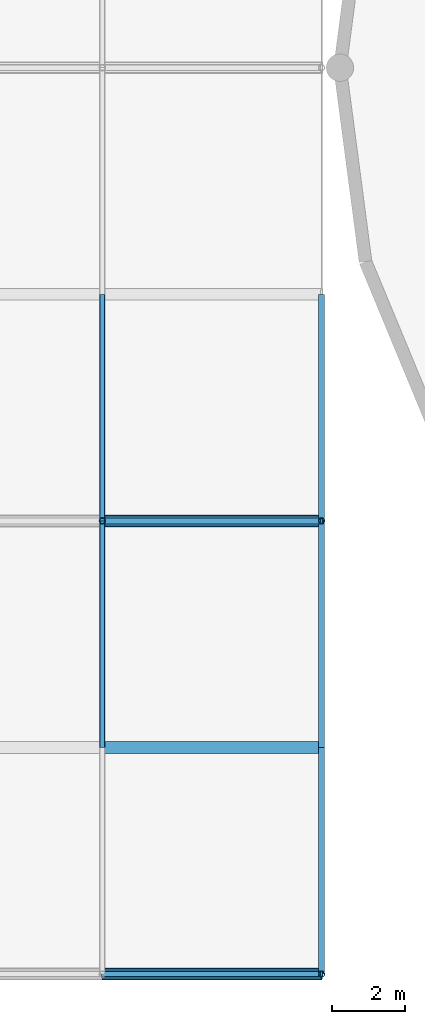
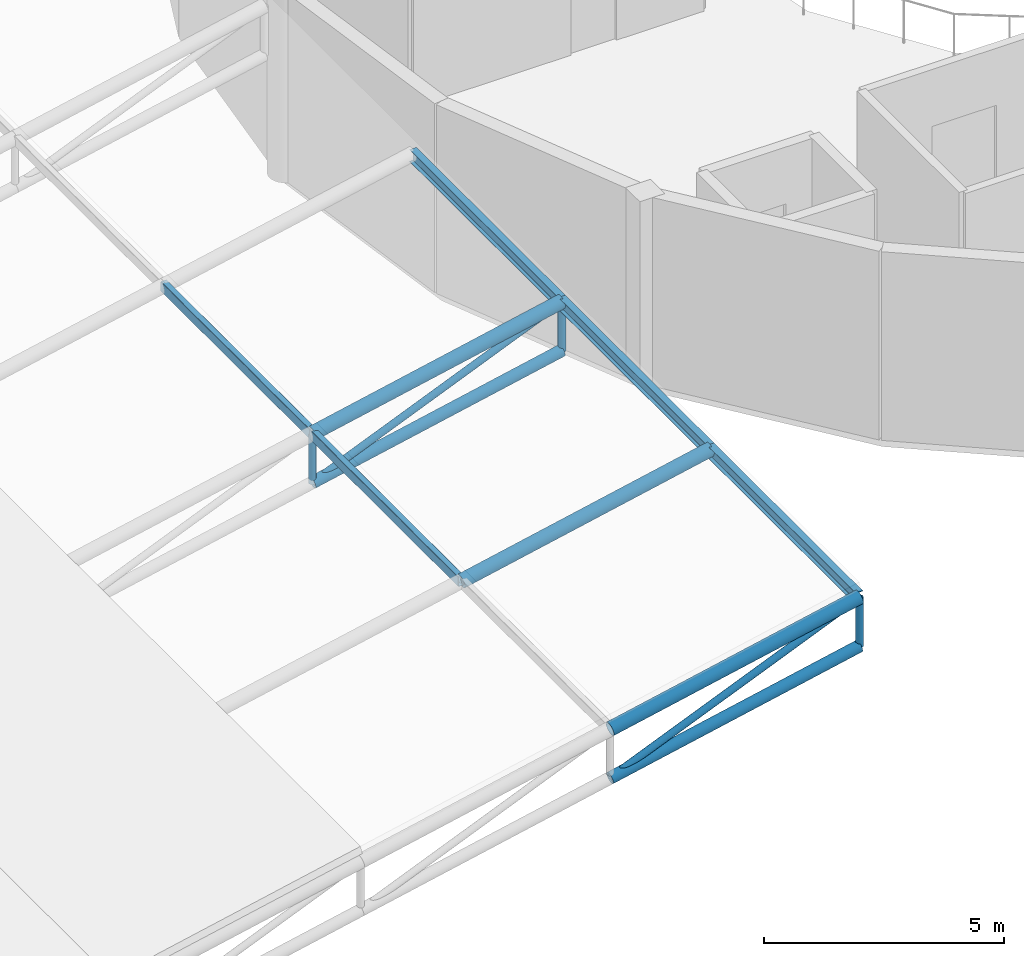
# One storey, part 16 of 48: 15 members.
"""IFC4 building model written with IfcOpenShell, lengths in metres."""

from ifc_helpers import new_model, si_unit, direction, frame, origin, origin_2d, place, context, subcontext, project, spatial, hollow_rectangle, hollow_circle, i_section, extrude, material, material_profile, profile_set, type_object, element, save


model = new_model("IFC4")

# Units and contexts
model_context = context("Model", 3, precision=1e-05, world=origin(), true_north=direction((0.0, 1.0)))
body_context = subcontext(model_context, "Body", "Model", "MODEL_VIEW")
ifc_project = project(units=[si_unit("LENGTHUNIT", "METRE"), si_unit("AREAUNIT", "SQUARE_METRE"), si_unit("VOLUMEUNIT", "CUBIC_METRE"), si_unit("PLANEANGLEUNIT", "RADIAN"), si_unit("MASSUNIT", "GRAM", prefix="KILO")], contexts=[model_context])

# Site, building, storey
site_placement = place(None, origin())
site = spatial("IfcSite", under=ifc_project, at=site_placement, CompositionType="ELEMENT")
building_placement = place(site_placement, origin())
building = spatial("IfcBuilding", under=site, at=building_placement, Name="Mirzam Square Science Centre", CompositionType="ELEMENT")
storey_placement = place(building_placement, frame((0.0, 0.0, 20.39990234375)))
storey = spatial("IfcBuildingStorey", under=building, at=storey_placement, Name="L04", CompositionType="ELEMENT", Elevation=20.39990234375)

# Members
ifc_material = material(Name="Steel S355", Category="steel")
ifc_material_profile_1 = material_profile(ifc_material, hollow_circle(Radius=0.084228515625, WallThickness=0.008056640625, at=origin_2d()), Name="168.3x8.0CHS")
ifc_profile_set_1 = profile_set([ifc_material_profile_1], Name="Steel S355")
member_type_1 = type_object("IfcMemberType", Name="BR-CHS168", PredefinedType="BRACE", material=ifc_profile_set_1)
member_1_placement = place(storey_placement, frame((54.0, 37.199951171875, 1.91455078125), z_axis=(0.922529582988, 0.0, 0.385926377063), x_axis=(0.0, 1.0, 0.0)))
element("IfcMember", 1, at=member_1_placement, inside=storey, type_object=member_type_1, Name="Wedge truss web diagonal Y7 bay 10", PredefinedType="BRACE", context=body_context, shape_type="SweptSolid", body=[
    extrude(hollow_circle(Radius=0.084228515625, WallThickness=0.008056640625, at=origin_2d()), origin(), (0.0, 0.0, 1.0), 6.50390625),
])
member_2_placement = place(storey_placement, frame((60.0, 37.199951171875, 3.174560546875), z_axis=(0.0, 0.0, 1.0), x_axis=(1.0, 0.0, 0.0)))
element("IfcMember", 2, at=member_2_placement, inside=storey, type_object=member_type_1, Name="Wedge truss end post Y7", PredefinedType="BRACE", context=body_context, shape_type="SweptSolid", body=[
    extrude(hollow_circle(Radius=0.084228515625, WallThickness=0.008056640625, at=origin_2d()), origin(), (0.0, 0.0, 1.0), 1.25),
])
member_3_placement = place(storey_placement, frame((54.0, 49.60009765625, 1.91455078125), z_axis=(0.922529582988, 0.0, 0.385926377063), x_axis=(0.0, 1.0, 0.0)))
element("IfcMember", 3, at=member_3_placement, inside=storey, type_object=member_type_1, Name="Wedge truss web diagonal Y9 bay 10", PredefinedType="BRACE", context=body_context, shape_type="SweptSolid", body=[
    extrude(hollow_circle(Radius=0.084228515625, WallThickness=0.008056640625, at=origin_2d()), origin(), (0.0, 0.0, 1.0), 6.50390625),
])
for number, where, z_axis, x_axis, name in (
    (4, (54.0, 49.60009765625, 1.91455078125), (0.0, 0.0, 1.0), (1.0, 0.0, 0.0), "Wedge truss post Y9 bay 10"),
    (5, (60.0, 49.60009765625, 3.174560546875), (0.0, 0.0, 1.0), (1.0, 0.0, 0.0), "Wedge truss end post Y9"),
):
    element("IfcMember", number, at=place(storey_placement, frame(where, z_axis=z_axis, x_axis=x_axis)), inside=storey, type_object=member_type_1, Name=name, PredefinedType="BRACE", context=body_context, shape_type="SweptSolid", body=[
        extrude(hollow_circle(Radius=0.084228515625, WallThickness=0.008056640625, at=origin_2d()), origin(), (0.0, 0.0, 1.0), 1.25),
    ])
ifc_material_profile_2 = material_profile(ifc_material, hollow_circle(Radius=0.136474609375, WallThickness=0.010009765625, at=origin_2d()), Name="273.0x10.0CHS")
ifc_profile_set_2 = profile_set([ifc_material_profile_2], Name="Steel S355")
member_type_2 = type_object("IfcMemberType", Name="CH-CHS273", PredefinedType="CHORD", material=ifc_profile_set_2)
for number, where, z_axis, x_axis, name in (
    (6, (54.0, 37.199951171875, 1.91455078125), (0.978653176229, 0.0, 0.205518759868), (0.0, 1.0, 0.0), "Wedge truss bottom chord Y7 bay 10"),
    (7, (54.0, 49.60009765625, 1.91455078125), (0.978653176229, 0.0, 0.205518759868), (0.0, 1.0, 0.0), "Wedge truss bottom chord Y9 bay 10"),
):
    element("IfcMember", number, at=place(storey_placement, frame(where, z_axis=z_axis, x_axis=x_axis)), inside=storey, type_object=member_type_2, Name=name, PredefinedType="CHORD", context=body_context, shape_type="SweptSolid", body=[
        extrude(hollow_circle(Radius=0.136474609375, WallThickness=0.010009765625, at=origin_2d()), origin(), (0.0, 0.0, 1.0), 6.130859375),
    ])
ifc_material_profile_3 = material_profile(ifc_material, hollow_circle(Radius=0.161865234375, WallThickness=0.012451171875, at=origin_2d()), Name="323.9x12.5CHS")
ifc_profile_set_3 = profile_set([ifc_material_profile_3], Name="Steel S355")
member_type_3 = type_object("IfcMemberType", Name="CH-CHS324", PredefinedType="CHORD", material=ifc_profile_set_3)
for number, where, z_axis, x_axis, name in (
    (8, (54.0, 37.199951171875, 3.16455078125), (0.978653176229, 0.0, 0.205518759868), (0.0, 1.0, 0.0), "Wedge truss top chord Y7 bay 10"),
    (9, (54.0, 43.39990234375, 3.16455078125), (0.978653176229, 0.0, 0.205518759868), (0.0, 1.0, 0.0), "Wedge truss top chord Y8 bay 10"),
    (10, (54.0, 49.60009765625, 3.16455078125), (0.978653176229, 0.0, 0.205518759868), (0.0, 1.0, 0.0), "Wedge truss top chord Y9 bay 10"),
):
    element("IfcMember", number, at=place(storey_placement, frame(where, z_axis=z_axis, x_axis=x_axis)), inside=storey, type_object=member_type_3, Name=name, PredefinedType="CHORD", context=body_context, shape_type="SweptSolid", body=[
        extrude(hollow_circle(Radius=0.161865234375, WallThickness=0.012451171875, at=origin_2d()), origin(), (0.0, 0.0, 1.0), 6.130859375),
    ])
ifc_material_profile_4 = material_profile(ifc_material, hollow_rectangle(XDim=0.14990234375, YDim=0.25, WallThickness=0.010009765625, InnerFilletRadius=0.010009765625, OuterFilletRadius=0.02001953125, at=origin_2d()), Name="250x150x10.0RHS")
ifc_profile_set_4 = profile_set([ifc_material_profile_4], Name="Steel S355")
member_type_4 = type_object("IfcMemberType", Name="RF-RHS250", PredefinedType="RAFTER", material=ifc_profile_set_4)
member_4_placement = place(storey_placement, frame((54.0, 43.39990234375, 3.16748046875), z_axis=(0.0, 1.0, 0.0), x_axis=(-1.0, 0.0, 0.0)))
element("IfcMember", 11, at=member_4_placement, inside=storey, type_object=member_type_4, Name="Wedge roof rafter X10-8", PredefinedType="RAFTER", context=body_context, shape_type="SweptSolid", body=[
    extrude(hollow_rectangle(XDim=0.14990234375, YDim=0.25, WallThickness=0.010009765625, InnerFilletRadius=0.010009765625, OuterFilletRadius=0.02001953125, at=origin_2d()), origin(), (0.0, 0.0, 1.0), 6.2001953125),
])
member_5_placement = place(storey_placement, frame((54.0, 49.60009765625, 3.16748046875), z_axis=(0.0, 1.0, 0.0), x_axis=(-1.0, 0.0, 0.0)))
element("IfcMember", 12, at=member_5_placement, inside=storey, type_object=member_type_4, Name="Wedge roof rafter X10-9", PredefinedType="RAFTER", context=body_context, shape_type="SweptSolid", body=[
    extrude(hollow_rectangle(XDim=0.14990234375, YDim=0.25, WallThickness=0.010009765625, InnerFilletRadius=0.010009765625, OuterFilletRadius=0.02001953125, at=origin_2d()), origin(), (0.0, 0.0, 1.0), 6.199951171875),
])
ifc_material_profile_5 = material_profile(ifc_material, i_section(OverallWidth=0.165771484375, OverallDepth=0.306640625, WebThickness=0.006591796875, FlangeThickness=0.01171875, FilletRadius=0.0087890625, at=origin_2d()), Name="305x165x46UB")
ifc_profile_set_5 = profile_set([ifc_material_profile_5], Name="Steel S355")
member_type_5 = type_object("IfcMemberType", Name="RF-UB305", PredefinedType="RAFTER", material=ifc_profile_set_5)
member_6_placement = place(storey_placement, frame((60.0, 37.199951171875, 4.3984375), z_axis=(0.0, 1.0, 0.0), x_axis=(-1.0, 0.0, 0.0)))
element("IfcMember", 13, at=member_6_placement, inside=storey, type_object=member_type_5, Name="Wedge ridge rafter X11-7", PredefinedType="RAFTER", context=body_context, shape_type="SweptSolid", body=[
    extrude(i_section(OverallWidth=0.165771484375, OverallDepth=0.306640625, WebThickness=0.006591796875, FlangeThickness=0.01171875, FilletRadius=0.0087890625, at=origin_2d()), origin(), (0.0, 0.0, 1.0), 6.199951171875),
])
member_7_placement = place(storey_placement, frame((60.0, 43.39990234375, 4.3984375), z_axis=(0.0, 1.0, 0.0), x_axis=(-1.0, 0.0, 0.0)))
element("IfcMember", 14, at=member_7_placement, inside=storey, type_object=member_type_5, Name="Wedge ridge rafter X11-8", PredefinedType="RAFTER", context=body_context, shape_type="SweptSolid", body=[
    extrude(i_section(OverallWidth=0.165771484375, OverallDepth=0.306640625, WebThickness=0.006591796875, FlangeThickness=0.01171875, FilletRadius=0.0087890625, at=origin_2d()), origin(), (0.0, 0.0, 1.0), 6.2001953125),
])
member_8_placement = place(storey_placement, frame((60.0, 49.60009765625, 4.3984375), z_axis=(0.0, 1.0, 0.0), x_axis=(-1.0, 0.0, 0.0)))
element("IfcMember", 15, at=member_8_placement, inside=storey, type_object=member_type_5, Name="Wedge ridge rafter X11-9", PredefinedType="RAFTER", context=body_context, shape_type="SweptSolid", body=[
    extrude(i_section(OverallWidth=0.165771484375, OverallDepth=0.306640625, WebThickness=0.006591796875, FlangeThickness=0.01171875, FilletRadius=0.0087890625, at=origin_2d()), origin(), (0.0, 0.0, 1.0), 6.199951171875),
])

save(model, "model.ifc")
